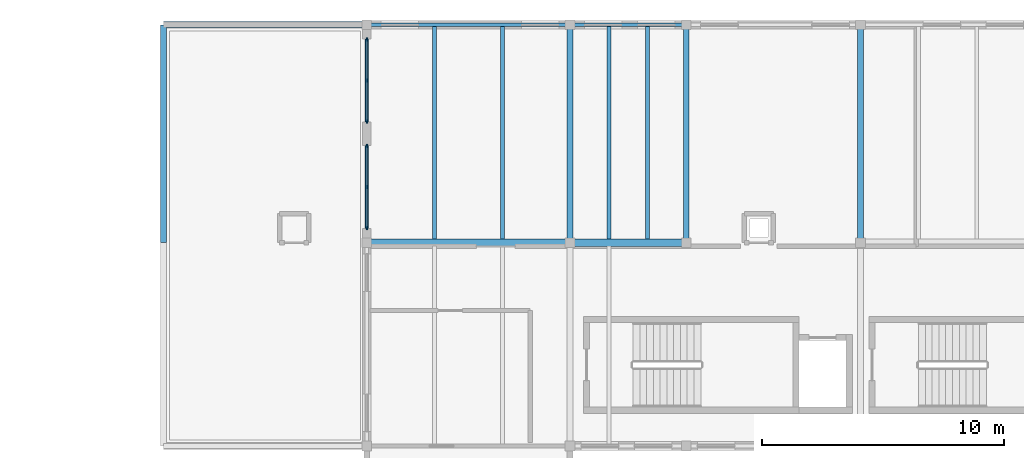
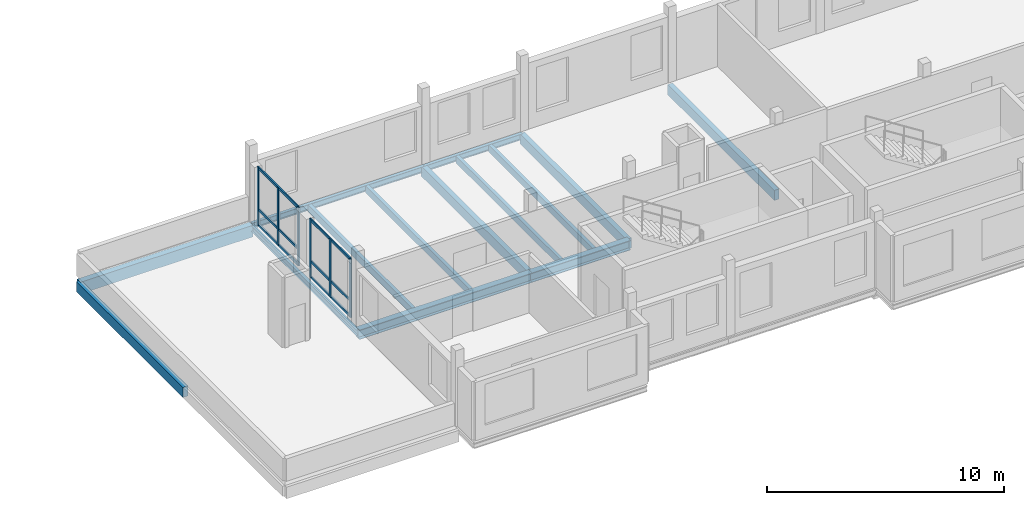
# One storey, part 15 of 34: 14 beams, 12 members, 2 elements without a shape of their own.
"""IFC4 building model written with IfcOpenShell, lengths in metres."""

from ifc_helpers import new_model, si_unit, direction, frame, origin, origin_2d, place, context, subcontext, project, spatial, rectangle, i_section, extrude, material, material_profile, profile_set, type_object, element, aggregate, save


model = new_model("IFC4")

# Units and contexts
model_context = context("Model", 3, precision=1e-05, world=origin(), true_north=direction((0.0, 1.0)))
body_context = subcontext(model_context, "Body", "Model", "MODEL_VIEW")
ifc_project = project(units=[si_unit("LENGTHUNIT", "METRE"), si_unit("AREAUNIT", "SQUARE_METRE"), si_unit("VOLUMEUNIT", "CUBIC_METRE"), si_unit("PLANEANGLEUNIT", "RADIAN"), si_unit("MASSUNIT", "GRAM", prefix="KILO")], contexts=[model_context])

# Site, building, storey
site_placement = place(None, origin())
site = spatial("IfcSite", under=ifc_project, at=site_placement, CompositionType="ELEMENT")
building_placement = place(site_placement, origin())
building = spatial("IfcBuilding", under=site, at=building_placement, Name="Kahlenmark Community Centre", CompositionType="ELEMENT")
storey_placement = place(building_placement, frame((0.0, 0.0, 17.699951171875)))
storey = spatial("IfcBuildingStorey", under=building, at=storey_placement, Name="L04", CompositionType="ELEMENT", Elevation=17.699951171875)

# Beams
ifc_material_1 = material(Name="Glulam GL32h", Category="wood")
ifc_material_profile_1 = material_profile(ifc_material_1, rectangle(XDim=0.239990234375, YDim=0.52001953125, at=origin_2d()), Name="GL32h 240x520")
ifc_profile_set_1 = profile_set([ifc_material_profile_1], Name="Glulam GL32h")
beam_type_1 = type_object("IfcBeamType", Name="BT-BEAM-GL32h240x520", PredefinedType="BEAM", material=ifc_profile_set_1)
for number, where, z_axis, x_axis, name in (
    (1, (46.0, 106.0, -0.47998046875), (0.0, 1.0, 0.0), (-1.0, 0.0, 0.0), "L04 beam BG-GL32h240x520"),
    (2, (50.800048828125, 106.0, -0.47998046875), (0.0, 1.0, 0.0), (-1.0, 0.0, 0.0), "L04 beam BG-GL32h240x520"),
    (3, (58.0, 106.0, -0.47998046875), (0.0, 1.0, 0.0), (-1.0, 0.0, 0.0), "L04 beam BG-GL32h240x520"),
    (4, (29.199951171875, 106.0, -0.5400390625), (0.0, 1.0, 0.0), (-1.0, 0.0, 0.0), "L04 beam BG-RF520"),
):
    element("IfcBeam", number, at=place(storey_placement, frame(where, z_axis=z_axis, x_axis=x_axis)), inside=storey, type_object=beam_type_1, Name=name, PredefinedType="BEAM", context=body_context, shape_type="SweptSolid", body=[
        extrude(rectangle(XDim=0.239990234375, YDim=0.52001953125, at=origin_2d()), origin(), (0.0, 0.0, 1.0), 9.0),
    ])
ifc_material_profile_2 = material_profile(ifc_material_1, rectangle(XDim=0.280029296875, YDim=0.60009765625, at=origin_2d()), Name="GL32h 280x600")
ifc_profile_set_2 = profile_set([ifc_material_profile_2], Name="Glulam GL32h")
beam_type_2 = type_object("IfcBeamType", Name="BT-BEAM-GL32h280x600", PredefinedType="BEAM", material=ifc_profile_set_2)
beam_1_placement = place(storey_placement, frame((29.199951171875, 115.0, -0.579833984375), z_axis=(1.0, 0.0, 0.0), x_axis=(0.0, 1.0, 0.0)))
element("IfcBeam", 5, at=beam_1_placement, inside=storey, type_object=beam_type_2, Name="L04 beam BG-RF600", PredefinedType="BEAM", context=body_context, shape_type="SweptSolid", body=[
    extrude(rectangle(XDim=0.280029296875, YDim=0.60009765625, at=origin_2d()), origin(), (0.0, 0.0, 1.0), 8.400146484375),
])
ifc_material_2 = material(Name="Steel S355", Category="steel")
ifc_material_profile_3 = material_profile(ifc_material_2, i_section(OverallWidth=0.300048828125, OverallDepth=0.489990234375, WebThickness=0.011962890625, FlangeThickness=0.02294921875, at=origin_2d()), Name="HEA 500")
ifc_profile_set_3 = profile_set([ifc_material_profile_3], Name="Steel S355")
beam_type_3 = type_object("IfcBeamType", Name="BT-BEAM-HEA500", PredefinedType="BEAM", material=ifc_profile_set_3)
beam_2_placement = place(storey_placement, frame((37.60009765625, 106.0, -0.46484375), z_axis=(1.0, 0.0, 0.0), x_axis=(0.0, 1.0, 0.0)))
element("IfcBeam", 6, at=beam_2_placement, inside=storey, type_object=beam_type_3, Name="L04 beam BG-HEA500", PredefinedType="BEAM", context=body_context, shape_type="SweptSolid", body=[
    extrude(i_section(OverallWidth=0.300048828125, OverallDepth=0.489990234375, WebThickness=0.011962890625, FlangeThickness=0.02294921875, at=origin_2d()), origin(), (0.0, 0.0, 1.0), 8.39990234375),
])
beam_3_placement = place(storey_placement, frame((46.0, 106.0, -0.46484375), z_axis=(1.0, 0.0, 0.0), x_axis=(0.0, 1.0, 0.0)))
element("IfcBeam", 7, at=beam_3_placement, inside=storey, type_object=beam_type_3, Name="L04 beam BG-HEA500", PredefinedType="BEAM", context=body_context, shape_type="SweptSolid", body=[
    extrude(i_section(OverallWidth=0.300048828125, OverallDepth=0.489990234375, WebThickness=0.011962890625, FlangeThickness=0.02294921875, at=origin_2d()), origin(), (0.0, 0.0, 1.0), 4.800048828125),
])
ifc_material_3 = material(Name="Glulam GL28h", Category="wood")
ifc_material_profile_4 = material_profile(ifc_material_3, rectangle(XDim=0.159912109375, YDim=0.360107421875, at=origin_2d()), Name="GL28h 160x360")
ifc_profile_set_4 = profile_set([ifc_material_profile_4], Name="Glulam GL28h")
beam_type_4 = type_object("IfcBeamType", Name="BT-JOIST-GL28h160x360", PredefinedType="JOIST", material=ifc_profile_set_4)
for number, where, z_axis, x_axis, name in (
    (8, (40.39990234375, 106.14794921875, -0.39990234375), (0.0, 1.0, 0.0), (-1.0, 0.0, 0.0), "L04 joist BJ-GL28h160x360"),
    (9, (43.199951171875, 106.14794921875, -0.39990234375), (0.0, 1.0, 0.0), (-1.0, 0.0, 0.0), "L04 joist BJ-GL28h160x360"),
    (10, (47.60009765625, 106.14794921875, -0.39990234375), (0.0, 1.0, 0.0), (-1.0, 0.0, 0.0), "L04 joist BJ-GL28h160x360"),
    (11, (49.199951171875, 106.14794921875, -0.39990234375), (0.0, 1.0, 0.0), (-1.0, 0.0, 0.0), "L04 joist BJ-GL28h160x360"),
):
    element("IfcBeam", number, at=place(storey_placement, frame(where, z_axis=z_axis, x_axis=x_axis)), inside=storey, type_object=beam_type_4, Name=name, PredefinedType="JOIST", context=body_context, shape_type="SweptSolid", body=[
        extrude(rectangle(XDim=0.159912109375, YDim=0.360107421875, at=origin_2d()), origin(), (0.0, 0.0, 1.0), 8.779052734375),
    ])
ifc_material_profile_5 = material_profile(ifc_material_2, i_section(OverallWidth=0.14990234375, OverallDepth=0.300048828125, WebThickness=0.007080078125, FlangeThickness=0.0107421875, at=origin_2d()), Name="IPE 300")
ifc_profile_set_5 = profile_set([ifc_material_profile_5], Name="Steel S355")
beam_type_5 = type_object("IfcBeamType", Name="BT-SPANDREL-IPE300", PredefinedType="SPANDREL", material=ifc_profile_set_5)
beam_4_placement = place(storey_placement, frame((37.60009765625, 115.0, -0.369873046875), z_axis=(1.0, 0.0, 0.0), x_axis=(0.0, 1.0, 0.0)))
element("IfcBeam", 12, at=beam_4_placement, inside=storey, type_object=beam_type_5, Name="L04 spandrel SP-IPE300", PredefinedType="SPANDREL", context=body_context, shape_type="SweptSolid", body=[
    extrude(i_section(OverallWidth=0.14990234375, OverallDepth=0.300048828125, WebThickness=0.007080078125, FlangeThickness=0.0107421875, at=origin_2d()), origin(), (0.0, 0.0, 1.0), 8.39990234375),
])
beam_5_placement = place(storey_placement, frame((46.0, 115.0, -0.369873046875), z_axis=(1.0, 0.0, 0.0), x_axis=(0.0, 1.0, 0.0)))
element("IfcBeam", 13, at=beam_5_placement, inside=storey, type_object=beam_type_5, Name="L04 spandrel SP-IPE300", PredefinedType="SPANDREL", context=body_context, shape_type="SweptSolid", body=[
    extrude(i_section(OverallWidth=0.14990234375, OverallDepth=0.300048828125, WebThickness=0.007080078125, FlangeThickness=0.0107421875, at=origin_2d()), origin(), (0.0, 0.0, 1.0), 4.800048828125),
])
beam_6_placement = place(storey_placement, frame((37.60009765625, 106.0, -0.429931640625), z_axis=(0.0, 1.0, 0.0), x_axis=(-1.0, 0.0, 0.0)))
element("IfcBeam", 14, at=beam_6_placement, inside=storey, type_object=beam_type_5, Name="L04 spandrel SP-IPE300", PredefinedType="SPANDREL", context=body_context, shape_type="SweptSolid", body=[
    extrude(i_section(OverallWidth=0.14990234375, OverallDepth=0.300048828125, WebThickness=0.007080078125, FlangeThickness=0.0107421875, at=origin_2d()), origin(), (0.0, 0.0, 1.0), 9.0),
])

# Curtain wall, members
ifc_material_4 = material(Name="Anodised aluminium unitised curtain wall", Category="aluminium")
curtain_wall_type = type_object("IfcCurtainWallType", Name="CWT-UNIT-344X301", PredefinedType="USERDEFINED", material=ifc_material_4)
curtain_wall_1_placement = place(storey_placement, origin())
curtain_wall_1 = element("IfcCurtainWall", 15, at=curtain_wall_1_placement, inside=storey, type_object=curtain_wall_type, Name="Unitised curtain wall CW-135", ObjectType="UNITISED CURTAIN WALL", PredefinedType="USERDEFINED")
ifc_material_5 = material(Name="Anodised aluminium 6063-T6", Category="aluminium")
ifc_material_profile_6 = material_profile(ifc_material_5, rectangle(XDim=0.06005859375, YDim=0.139892578125, at=origin_2d()), Name="ALU MULLION 60x140")
ifc_profile_set_6 = profile_set([ifc_material_profile_6], Name="Anodised aluminium 6063-T6")
member_type_1 = type_object("IfcMemberType", Name="MT-MUL-140", PredefinedType="MULLION", material=ifc_profile_set_6)
member_1_placement = place(storey_placement, frame((37.60009765625, 114.389892578125, 0.0), z_axis=(0.0, 0.0, 1.0), x_axis=(1.0, 0.0, 0.0)))
member_1 = element("IfcMember", 16, at=member_1_placement, type_object=member_type_1, Name="CW-135 mullion 1", PredefinedType="MULLION", context=body_context, shape_type="SweptSolid", body=[
    extrude(rectangle(XDim=0.06005859375, YDim=0.139892578125, at=origin_2d()), origin(), (0.0, 0.0, 1.0), 3.010009765625),
])
member_2_placement = place(storey_placement, frame((37.60009765625, 112.699951171875, 0.0), z_axis=(0.0, 0.0, 1.0), x_axis=(1.0, 0.0, 0.0)))
member_2 = element("IfcMember", 17, at=member_2_placement, type_object=member_type_1, Name="CW-135 mullion 2", PredefinedType="MULLION", context=body_context, shape_type="SweptSolid", body=[
    extrude(rectangle(XDim=0.06005859375, YDim=0.139892578125, at=origin_2d()), origin(), (0.0, 0.0, 1.0), 3.010009765625),
])
member_3_placement = place(storey_placement, frame((37.60009765625, 111.010009765625, 0.0), z_axis=(0.0, 0.0, 1.0), x_axis=(1.0, 0.0, 0.0)))
member_3 = element("IfcMember", 18, at=member_3_placement, type_object=member_type_1, Name="CW-135 mullion 3", PredefinedType="MULLION", context=body_context, shape_type="SweptSolid", body=[
    extrude(rectangle(XDim=0.06005859375, YDim=0.139892578125, at=origin_2d()), origin(), (0.0, 0.0, 1.0), 3.010009765625),
])

curtain_wall_2_placement = place(storey_placement, origin())
curtain_wall_2 = element("IfcCurtainWall", 19, at=curtain_wall_2_placement, inside=storey, type_object=curtain_wall_type, Name="Unitised curtain wall CW-136", ObjectType="UNITISED CURTAIN WALL", PredefinedType="USERDEFINED")
member_4_placement = place(storey_placement, frame((37.60009765625, 109.989990234375, 0.0), z_axis=(0.0, 0.0, 1.0), x_axis=(1.0, 0.0, 0.0)))
member_4 = element("IfcMember", 20, at=member_4_placement, type_object=member_type_1, Name="CW-136 mullion 1", PredefinedType="MULLION", context=body_context, shape_type="SweptSolid", body=[
    extrude(rectangle(XDim=0.06005859375, YDim=0.139892578125, at=origin_2d()), origin(), (0.0, 0.0, 1.0), 3.010009765625),
])
member_5_placement = place(storey_placement, frame((37.60009765625, 108.300048828125, 0.0), z_axis=(0.0, 0.0, 1.0), x_axis=(1.0, 0.0, 0.0)))
member_5 = element("IfcMember", 21, at=member_5_placement, type_object=member_type_1, Name="CW-136 mullion 2", PredefinedType="MULLION", context=body_context, shape_type="SweptSolid", body=[
    extrude(rectangle(XDim=0.06005859375, YDim=0.139892578125, at=origin_2d()), origin(), (0.0, 0.0, 1.0), 3.010009765625),
])
member_6_placement = place(storey_placement, frame((37.60009765625, 106.610107421875, 0.0), z_axis=(0.0, 0.0, 1.0), x_axis=(1.0, 0.0, 0.0)))
member_6 = element("IfcMember", 22, at=member_6_placement, type_object=member_type_1, Name="CW-136 mullion 3", PredefinedType="MULLION", context=body_context, shape_type="SweptSolid", body=[
    extrude(rectangle(XDim=0.06005859375, YDim=0.139892578125, at=origin_2d()), origin(), (0.0, 0.0, 1.0), 3.010009765625),
])

# Member
ifc_material_profile_7 = material_profile(ifc_material_5, rectangle(XDim=0.06005859375, YDim=0.139892578125, at=origin_2d()), Name="ALU TRANSOM 60x140")
ifc_profile_set_7 = profile_set([ifc_material_profile_7], Name="Anodised aluminium 6063-T6")
member_type_2 = type_object("IfcMemberType", Name="MT-TRN-140", PredefinedType="USERDEFINED", material=ifc_profile_set_7)
member_7_placement = place(storey_placement, frame((37.60009765625, 114.389892578125, 0.0400390625), z_axis=(0.0, -1.0, 0.0), x_axis=(1.0, 0.0, 0.0)))
member_7 = element("IfcMember", 23, at=member_7_placement, type_object=member_type_2, Name="CW-135 transom 1", ObjectType="TRANSOM", PredefinedType="USERDEFINED", context=body_context, shape_type="SweptSolid", body=[
    extrude(rectangle(XDim=0.06005859375, YDim=0.139892578125, at=origin_2d()), origin(), (0.0, 0.0, 1.0), 3.3798828125),
])

member_8_placement = place(storey_placement, frame((37.60009765625, 114.389892578125, 0.85009765625), z_axis=(0.0, -1.0, 0.0), x_axis=(1.0, 0.0, 0.0)))
member_8 = element("IfcMember", 24, at=member_8_placement, type_object=member_type_2, Name="CW-135 transom 2", ObjectType="TRANSOM", PredefinedType="USERDEFINED", context=body_context, shape_type="SweptSolid", body=[
    extrude(rectangle(XDim=0.06005859375, YDim=0.139892578125, at=origin_2d()), origin(), (0.0, 0.0, 1.0), 3.3798828125),
])

member_9_placement = place(storey_placement, frame((37.60009765625, 114.389892578125, 2.969970703125), z_axis=(0.0, -1.0, 0.0), x_axis=(1.0, 0.0, 0.0)))
member_9 = element("IfcMember", 25, at=member_9_placement, type_object=member_type_2, Name="CW-135 transom 3", ObjectType="TRANSOM", PredefinedType="USERDEFINED", context=body_context, shape_type="SweptSolid", body=[
    extrude(rectangle(XDim=0.06005859375, YDim=0.139892578125, at=origin_2d()), origin(), (0.0, 0.0, 1.0), 3.3798828125),
])

aggregate(curtain_wall_1, [member_1, member_2, member_3, member_7, member_8, member_9])

member_10_placement = place(storey_placement, frame((37.60009765625, 109.989990234375, 0.0400390625), z_axis=(0.0, -1.0, 0.0), x_axis=(1.0, 0.0, 0.0)))
member_10 = element("IfcMember", 26, at=member_10_placement, type_object=member_type_2, Name="CW-136 transom 1", ObjectType="TRANSOM", PredefinedType="USERDEFINED", context=body_context, shape_type="SweptSolid", body=[
    extrude(rectangle(XDim=0.06005859375, YDim=0.139892578125, at=origin_2d()), origin(), (0.0, 0.0, 1.0), 3.3798828125),
])

member_11_placement = place(storey_placement, frame((37.60009765625, 109.989990234375, 0.85009765625), z_axis=(0.0, -1.0, 0.0), x_axis=(1.0, 0.0, 0.0)))
member_11 = element("IfcMember", 27, at=member_11_placement, type_object=member_type_2, Name="CW-136 transom 2", ObjectType="TRANSOM", PredefinedType="USERDEFINED", context=body_context, shape_type="SweptSolid", body=[
    extrude(rectangle(XDim=0.06005859375, YDim=0.139892578125, at=origin_2d()), origin(), (0.0, 0.0, 1.0), 3.3798828125),
])

member_12_placement = place(storey_placement, frame((37.60009765625, 109.989990234375, 2.969970703125), z_axis=(0.0, -1.0, 0.0), x_axis=(1.0, 0.0, 0.0)))
member_12 = element("IfcMember", 28, at=member_12_placement, type_object=member_type_2, Name="CW-136 transom 3", ObjectType="TRANSOM", PredefinedType="USERDEFINED", context=body_context, shape_type="SweptSolid", body=[
    extrude(rectangle(XDim=0.06005859375, YDim=0.139892578125, at=origin_2d()), origin(), (0.0, 0.0, 1.0), 3.3798828125),
])

aggregate(curtain_wall_2, [member_4, member_5, member_6, member_10, member_11, member_12])

save(model, "model.ifc")
